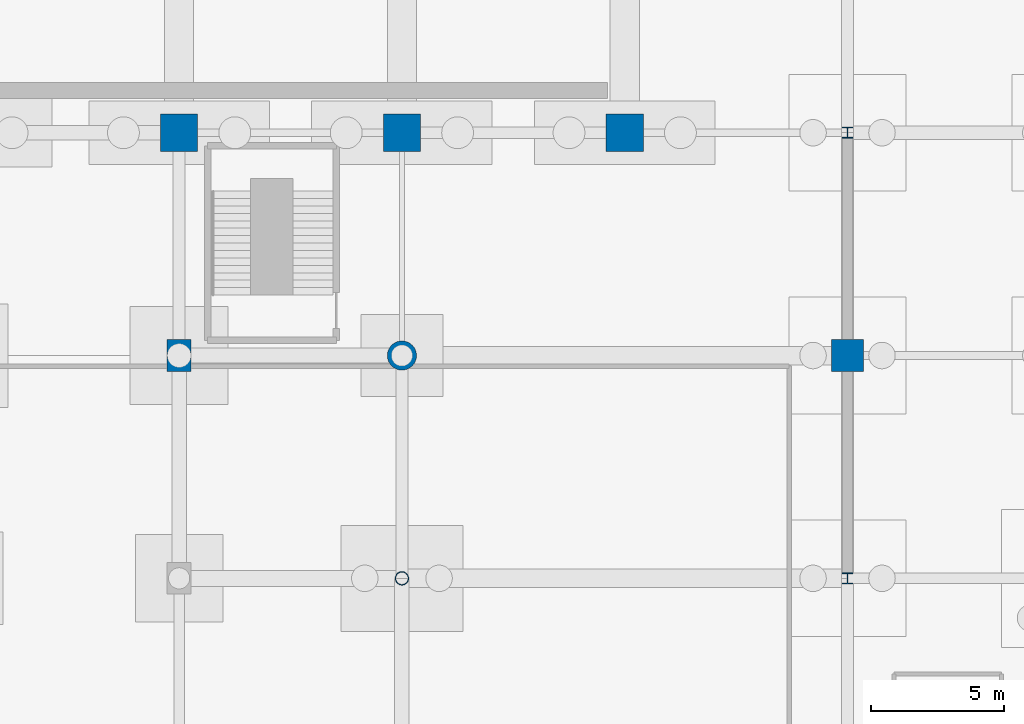
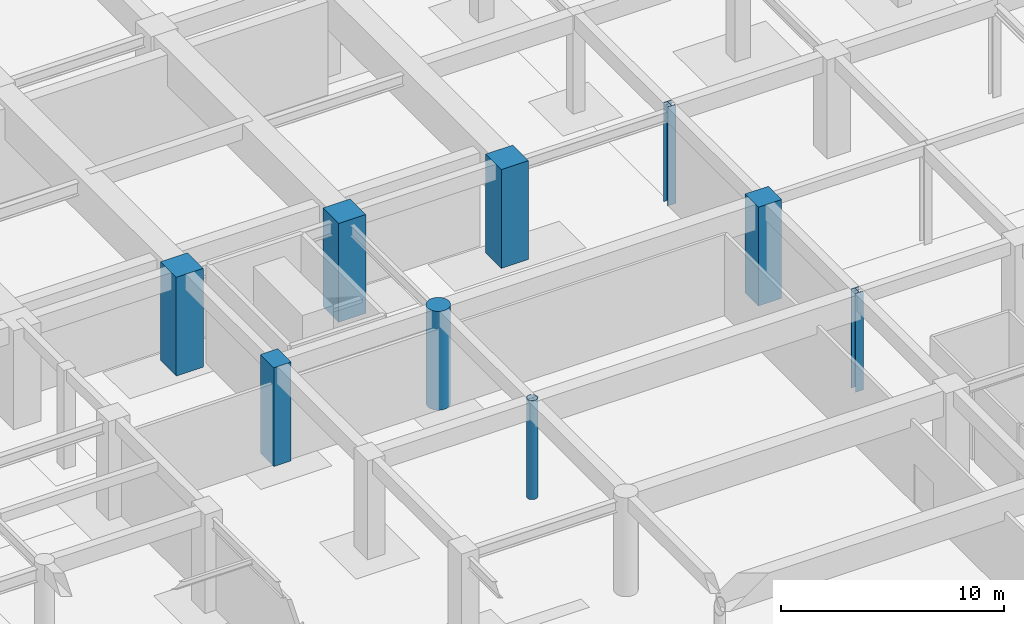
# One storey, part 7 of 26: 9 columns.
"""IFC4 building model written with IfcOpenShell, lengths in metres."""

from ifc_helpers import new_model, si_unit, direction, frame, origin, origin_2d, place, context, subcontext, project, spatial, rectangle, circle, hollow_circle, i_section, extrude, material, material_profile, profile_set, type_object, element, save


model = new_model("IFC4")

# Units and contexts
model_context = context("Model", 3, precision=1e-05, world=origin(), true_north=direction((0.0, 1.0)))
body_context = subcontext(model_context, "Body", "Model", "MODEL_VIEW")
ifc_project = project(units=[si_unit("LENGTHUNIT", "METRE"), si_unit("AREAUNIT", "SQUARE_METRE"), si_unit("VOLUMEUNIT", "CUBIC_METRE"), si_unit("PLANEANGLEUNIT", "RADIAN"), si_unit("MASSUNIT", "GRAM", prefix="KILO")], contexts=[model_context])

# Site, building, storey
site_placement = place(None, origin())
site = spatial("IfcSite", under=ifc_project, at=site_placement, CompositionType="ELEMENT")
building_placement = place(site_placement, origin())
building = spatial("IfcBuilding", under=site, at=building_placement, Name="Xuanlan Plaza Opera House", CompositionType="ELEMENT")
storey_placement = place(building_placement, frame((0.0, 0.0, -5.39990234375)))
storey = spatial("IfcBuildingStorey", under=building, at=storey_placement, Name="B01", CompositionType="ELEMENT", Elevation=-5.39990234375)

# Columns
ifc_material_1 = material(Name="Concrete C60", Category="concrete")
ifc_material_profile_1 = material_profile(ifc_material_1, rectangle(XDim=1.39990234375, YDim=1.39990234375, at=origin_2d()), Name="RC-COL 1400x1400")
ifc_profile_set_1 = profile_set([ifc_material_profile_1], Name="Concrete C60")
column_type_1 = type_object("IfcColumnType", Name="STR-COL-C-01", PredefinedType="COLUMN", material=ifc_profile_set_1)
for number, where, z_axis, x_axis, name in (
    (1, (100.800048828125, 84.0, 0.0), (0.0, 0.0, 1.0), (1.0, 0.0, 0.0), "Column B01 13-K"),
    (2, (109.199951171875, 84.0, 0.0), (0.0, 0.0, 1.0), (1.0, 0.0, 0.0), "Column B01 14-K"),
    (3, (117.60009765625, 84.0, 0.0), (0.0, 0.0, 1.0), (1.0, 0.0, 0.0), "Column B01 15-K"),
):
    element("IfcColumn", number, at=place(storey_placement, frame(where, z_axis=z_axis, x_axis=x_axis)), inside=storey, type_object=column_type_1, Name=name, PredefinedType="COLUMN", context=body_context, shape_type="SweptSolid", body=[
        extrude(rectangle(XDim=1.39990234375, YDim=1.39990234375, at=origin_2d()), origin(), (0.0, 0.0, 1.0), 5.39990234375),
    ])
ifc_material_profile_2 = material_profile(ifc_material_1, rectangle(XDim=1.199951171875, YDim=1.199951171875, at=origin_2d()), Name="RC-COL 1200x1200")
ifc_profile_set_2 = profile_set([ifc_material_profile_2], Name="Concrete C60")
column_type_2 = type_object("IfcColumnType", Name="STR-COL-C-02", PredefinedType="COLUMN", material=ifc_profile_set_2)
column_1_placement = place(storey_placement, frame((126.0, 75.60009765625, 0.0), z_axis=(0.0, 0.0, 1.0), x_axis=(1.0, 0.0, 0.0)))
element("IfcColumn", 4, at=column_1_placement, inside=storey, type_object=column_type_2, Name="Column B01 16-J", PredefinedType="COLUMN", context=body_context, shape_type="SweptSolid", body=[
    extrude(rectangle(XDim=1.199951171875, YDim=1.199951171875, at=origin_2d()), origin(), (0.0, 0.0, 1.0), 5.39990234375),
])
ifc_material_2 = material(Name="Concrete C50", Category="concrete")
ifc_material_profile_3 = material_profile(ifc_material_2, rectangle(XDim=0.89990234375, YDim=1.199951171875, at=origin_2d()), Name="RC-COL 900x1200")
ifc_profile_set_3 = profile_set([ifc_material_profile_3], Name="Concrete C50")
column_type_3 = type_object("IfcColumnType", Name="STR-COL-C-10", PredefinedType="COLUMN", material=ifc_profile_set_3)
column_2_placement = place(storey_placement, frame((100.800048828125, 75.60009765625, 0.0), z_axis=(0.0, 0.0, 1.0), x_axis=(1.0, 0.0, 0.0)))
element("IfcColumn", 5, at=column_2_placement, inside=storey, type_object=column_type_3, Name="Column B01 13-J", PredefinedType="COLUMN", context=body_context, shape_type="SweptSolid", body=[
    extrude(rectangle(XDim=0.89990234375, YDim=1.199951171875, at=origin_2d()), origin(), (0.0, 0.0, 1.0), 5.39990234375),
])
ifc_material_profile_4 = material_profile(ifc_material_2, circle(Radius=0.550048828125, at=origin_2d()), Name="RC-COL D1100")
ifc_profile_set_4 = profile_set([ifc_material_profile_4], Name="Concrete C50")
column_type_4 = type_object("IfcColumnType", Name="STR-COL-C-11", PredefinedType="COLUMN", material=ifc_profile_set_4)
column_3_placement = place(storey_placement, frame((109.199951171875, 75.60009765625, 0.0), z_axis=(0.0, 0.0, 1.0), x_axis=(1.0, 0.0, 0.0)))
element("IfcColumn", 6, at=column_3_placement, inside=storey, type_object=column_type_4, Name="Column B01 14-J", PredefinedType="COLUMN", context=body_context, shape_type="SweptSolid", body=[
    extrude(circle(Radius=0.550048828125, at=origin_2d()), origin(), (0.0, 0.0, 1.0), 5.39990234375),
])
ifc_material_3 = material(Name="Steel Q390B", Category="steel")
ifc_material_profile_5 = material_profile(ifc_material_3, i_section(OverallWidth=0.405029296875, OverallDepth=0.4140625, WebThickness=0.01806640625, FlangeThickness=0.028076171875, FilletRadius=0.02197265625, at=origin_2d()), Name="HW 414x405x18x28")
ifc_profile_set_5 = profile_set([ifc_material_profile_5], Name="Steel Q390B")
column_type_5 = type_object("IfcColumnType", Name="STR-COL-C-13", PredefinedType="COLUMN", material=ifc_profile_set_5)
for number, where, z_axis, x_axis, name in (
    (7, (126.0, 67.199951171875, 0.0), (0.0, 0.0, 1.0), (1.0, 0.0, 0.0), "Column B01 16-I"),
    (8, (126.0, 84.0, 0.0), (0.0, 0.0, 1.0), (1.0, 0.0, 0.0), "Column B01 16-K"),
):
    element("IfcColumn", number, at=place(storey_placement, frame(where, z_axis=z_axis, x_axis=x_axis)), inside=storey, type_object=column_type_5, Name=name, PredefinedType="COLUMN", context=body_context, shape_type="SweptSolid", body=[
        extrude(i_section(OverallWidth=0.405029296875, OverallDepth=0.4140625, WebThickness=0.01806640625, FlangeThickness=0.028076171875, FilletRadius=0.02197265625, at=origin_2d()), origin(), (0.0, 0.0, 1.0), 5.39990234375),
    ])
ifc_material_4 = material(Name="Steel Q355B", Category="steel")
ifc_material_profile_6 = material_profile(ifc_material_4, hollow_circle(Radius=0.25390625, WallThickness=0.02001953125, at=origin_2d()), Name="CHS 508x20")
ifc_profile_set_6 = profile_set([ifc_material_profile_6], Name="Steel Q355B")
column_type_6 = type_object("IfcColumnType", Name="STR-COL-C-16", PredefinedType="COLUMN", material=ifc_profile_set_6)
column_4_placement = place(storey_placement, frame((109.199951171875, 67.199951171875, 0.0), z_axis=(0.0, 0.0, 1.0), x_axis=(1.0, 0.0, 0.0)))
element("IfcColumn", 9, at=column_4_placement, inside=storey, type_object=column_type_6, Name="Column B01 14-I", PredefinedType="COLUMN", context=body_context, shape_type="SweptSolid", body=[
    extrude(hollow_circle(Radius=0.25390625, WallThickness=0.02001953125, at=origin_2d()), origin(), (0.0, 0.0, 1.0), 5.39990234375),
])

save(model, "model.ifc")
